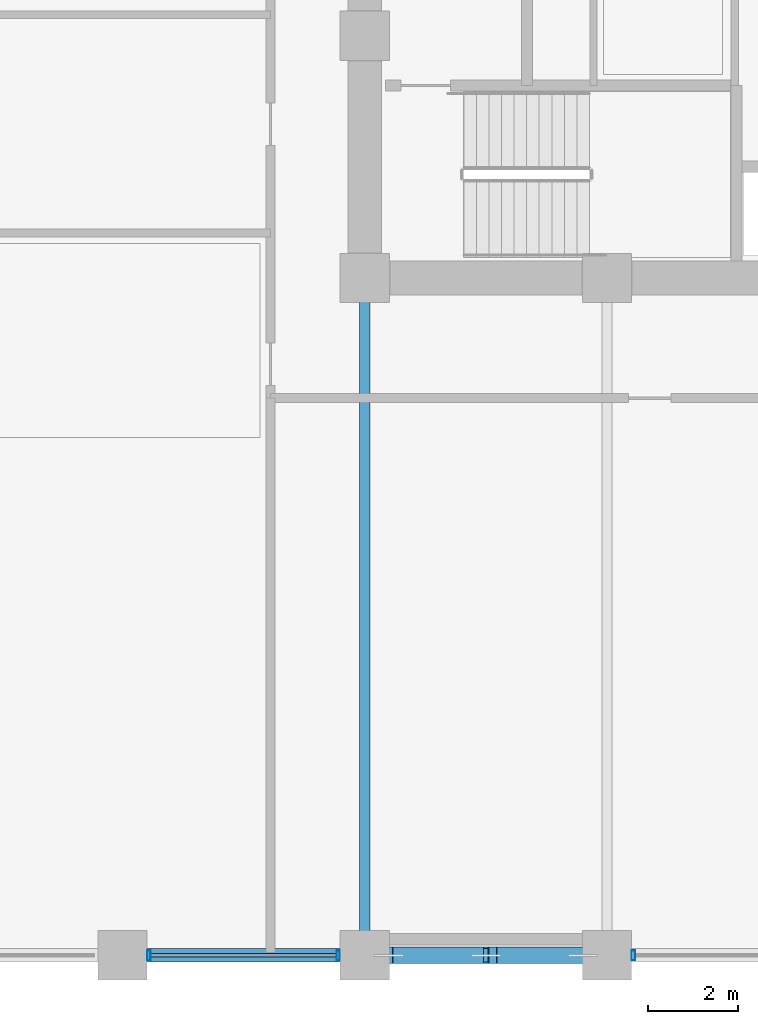
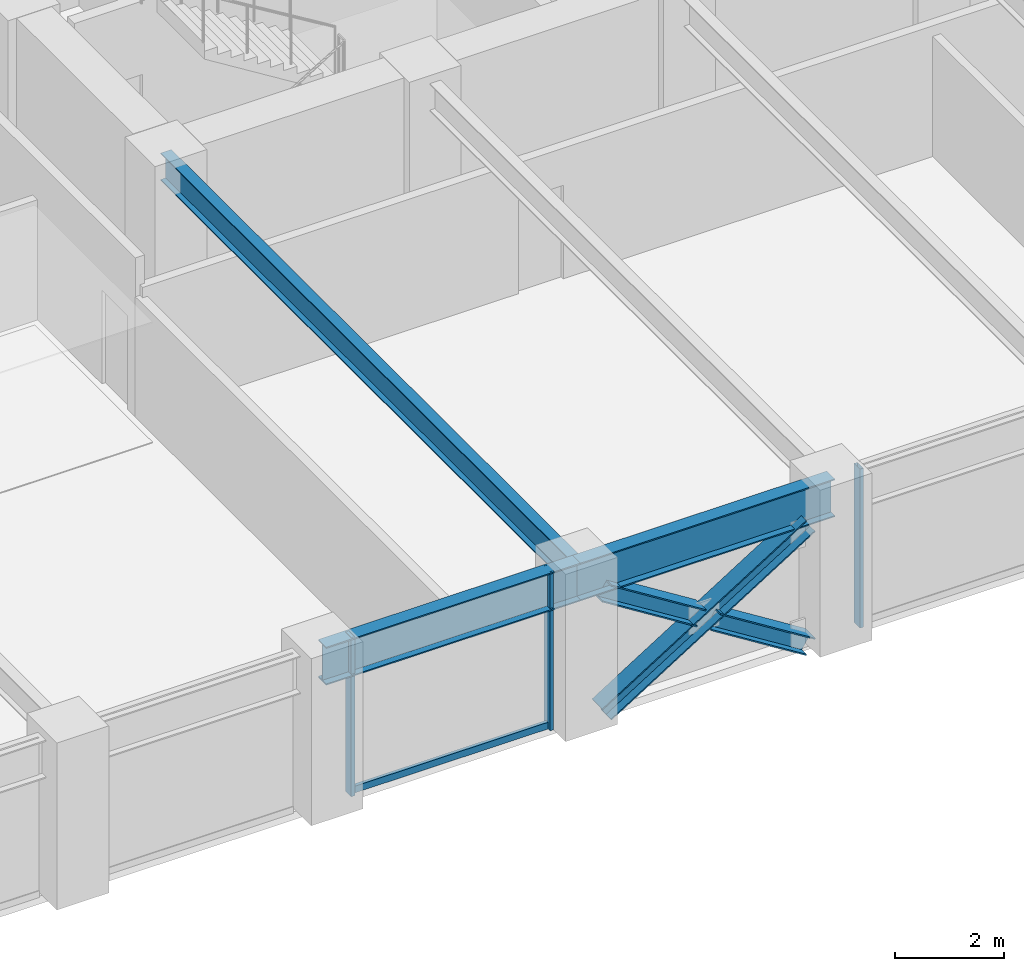
# One storey, part 4 of 24: 7 members, 3 beams, 2 elements without a shape of their own.
"""IFC4 building model written with IfcOpenShell, lengths in metres."""

from ifc_helpers import new_model, si_unit, direction, frame, origin, origin_2d, place, context, subcontext, project, spatial, hollow_rectangle, i_section, extrude, material, layer, layer_set, material_profile, profile_set, type_object, element, aggregate, save


model = new_model("IFC4")

# Units and contexts
model_context = context("Model", 3, precision=1e-05, world=origin(), true_north=direction((0.0, 1.0)))
body_context = subcontext(model_context, "Body", "Model", "MODEL_VIEW")
ifc_project = project(units=[si_unit("LENGTHUNIT", "METRE"), si_unit("AREAUNIT", "SQUARE_METRE"), si_unit("VOLUMEUNIT", "CUBIC_METRE"), si_unit("PLANEANGLEUNIT", "RADIAN"), si_unit("MASSUNIT", "GRAM", prefix="KILO")], contexts=[model_context])

# Site, building, storey
site_placement = place(None, origin())
site = spatial("IfcSite", under=ifc_project, at=site_placement, CompositionType="ELEMENT")
building_placement = place(site_placement, origin())
building = spatial("IfcBuilding", under=site, at=building_placement, Name="Surkhivell Harbour Commons", CompositionType="ELEMENT")
storey_placement = place(building_placement, frame((0.0, 0.0, 105.75)))
storey = spatial("IfcBuildingStorey", under=building, at=storey_placement, Name="L27", CompositionType="ELEMENT", Elevation=105.75)

# Beams
ifc_material_1 = material(Name="Steel S355", Category="steel")
ifc_material_profile_1 = material_profile(ifc_material_1, i_section(OverallWidth=0.22998046875, OverallDepth=0.616943359375, WebThickness=0.01318359375, FlangeThickness=0.022216796875, at=origin_2d()), Name="UB610x229x140")
ifc_profile_set_1 = profile_set([ifc_material_profile_1], Name="Steel S355")
beam_type_1 = type_object("IfcBeamType", Name="BM-GRD-610B", PredefinedType="BEAM", material=ifc_profile_set_1)
beam_1_placement = place(storey_placement, frame((-10.800048828125, -25.89990234375, 3.261474609375), z_axis=(0.0, 1.0, 0.0), x_axis=(-1.0, 0.0, 0.0)))
element("IfcBeam", 1, at=beam_1_placement, inside=storey, type_object=beam_type_1, Name="L27 Floor Girder (-10.8,-25.9)", PredefinedType="BEAM", context=body_context, shape_type="SweptSolid", body=[
    extrude(i_section(OverallWidth=0.22998046875, OverallDepth=0.616943359375, WebThickness=0.01318359375, FlangeThickness=0.022216796875, at=origin_2d()), origin(), (0.0, 0.0, 1.0), 15.099853515625),
])
ifc_material_2 = material(Name="Steel S460", Category="steel")
ifc_material_profile_2 = material_profile(ifc_material_2, i_section(OverallWidth=0.2939453125, OverallDepth=0.85107421875, WebThickness=0.01611328125, FlangeThickness=0.02685546875, at=origin_2d()), Name="UB838x292x226")
ifc_profile_set_2 = profile_set([ifc_material_profile_2], Name="Steel S460")
beam_type_2 = type_object("IfcBeamType", Name="BM-SPN-838", PredefinedType="SPANDREL", material=ifc_profile_set_2)
beam_2_placement = place(storey_placement, frame((-16.199951171875, -25.89990234375, 3.14453125), z_axis=(1.0, 0.0, 0.0), x_axis=(0.0, 1.0, 0.0)))
element("IfcBeam", 2, at=beam_2_placement, inside=storey, type_object=beam_type_2, Name="L27 Tube Spandrel (-16.2,-25.9)", PredefinedType="SPANDREL", context=body_context, shape_type="SweptSolid", body=[
    extrude(i_section(OverallWidth=0.2939453125, OverallDepth=0.85107421875, WebThickness=0.01611328125, FlangeThickness=0.02685546875, at=origin_2d()), origin(), (0.0, 0.0, 1.0), 5.39990234375),
])
beam_3_placement = place(storey_placement, frame((-10.800048828125, -25.89990234375, 3.14453125), z_axis=(1.0, 0.0, 0.0), x_axis=(0.0, 1.0, 0.0)))
element("IfcBeam", 3, at=beam_3_placement, inside=storey, type_object=beam_type_2, Name="L27 Tube Spandrel (-10.8,-25.9)", PredefinedType="SPANDREL", context=body_context, shape_type="SweptSolid", body=[
    extrude(i_section(OverallWidth=0.2939453125, OverallDepth=0.85107421875, WebThickness=0.01611328125, FlangeThickness=0.02685546875, at=origin_2d()), origin(), (0.0, 0.0, 1.0), 5.400146484375),
])

# Curtain wall, members
ifc_material_3 = material(Name="Anodised pale-metal aluminium and insulated glazing", Category="aluminium")
ifc_layer = layer(ifc_material_3, 0.205078125)
ifc_layer_set = layer_set([ifc_layer], Name="Anodised pale-metal aluminium and insulated glazing")
curtain_wall_type = type_object("IfcCurtainWallType", Name="CW-SYS-Z2", PredefinedType="NOTDEFINED", material=ifc_layer_set)
curtain_wall_1_placement = place(storey_placement, origin())
curtain_wall_1 = element("IfcCurtainWall", 4, at=curtain_wall_1_placement, inside=storey, type_object=curtain_wall_type, Name="L27 Curtain Wall CW-L27-E00S1", PredefinedType="NOTDEFINED")
ifc_material_4 = material(Name="Anodised pale-metal aluminium alloy 6063-T6", Category="aluminium")
ifc_material_profile_3 = material_profile(ifc_material_4, hollow_rectangle(XDim=0.074951171875, YDim=0.219970703125, WallThickness=0.00390625, at=origin_2d()), Name="ALU-MULL-75x220")
ifc_profile_set_3 = profile_set([ifc_material_profile_3], Name="Anodised pale-metal aluminium alloy 6063-T6")
member_type_1 = type_object("IfcMemberType", Name="CWM-220", PredefinedType="MULLION", material=ifc_profile_set_3)
member_1_placement = place(storey_placement, frame((-15.610595703125, -25.89990234375, 0.0), z_axis=(0.0, 0.0, 1.0), x_axis=(1.0, 0.0, 0.0)))
member_1 = element("IfcMember", 5, at=member_1_placement, type_object=member_type_1, Name="CW-Z2 mullion 3", PredefinedType="MULLION", context=body_context, shape_type="SweptSolid", body=[
    extrude(hollow_rectangle(XDim=0.074951171875, YDim=0.219970703125, WallThickness=0.00390625, at=origin_2d()), origin(), (0.0, 0.0, 1.0), 3.570068359375),
])
member_2_placement = place(storey_placement, frame((-11.389404296875, -25.89990234375, 0.0), z_axis=(0.0, 0.0, 1.0), x_axis=(1.0, 0.0, 0.0)))
member_2 = element("IfcMember", 6, at=member_2_placement, type_object=member_type_1, Name="CW-Z2 mullion 4", PredefinedType="MULLION", context=body_context, shape_type="SweptSolid", body=[
    extrude(hollow_rectangle(XDim=0.074951171875, YDim=0.219970703125, WallThickness=0.00390625, at=origin_2d()), origin(), (0.0, 0.0, 1.0), 3.570068359375),
])

# Curtain wall, member
curtain_wall_2_placement = place(storey_placement, origin())
curtain_wall_2 = element("IfcCurtainWall", 7, at=curtain_wall_2_placement, inside=storey, type_object=curtain_wall_type, Name="L27 Curtain Wall CW-L27-E00S2", PredefinedType="NOTDEFINED")
member_3_placement = place(storey_placement, frame((-4.810546875, -25.89990234375, 0.0), z_axis=(0.0, 0.0, 1.0), x_axis=(1.0, 0.0, 0.0)))
member_3 = element("IfcMember", 8, at=member_3_placement, type_object=member_type_1, Name="CW-Z2 mullion 1", PredefinedType="MULLION", context=body_context, shape_type="SweptSolid", body=[
    extrude(hollow_rectangle(XDim=0.074951171875, YDim=0.219970703125, WallThickness=0.00390625, at=origin_2d()), origin(), (0.0, 0.0, 1.0), 3.570068359375),
])
aggregate(curtain_wall_2, [member_3])

# Member
ifc_material_profile_4 = material_profile(ifc_material_4, hollow_rectangle(XDim=0.074951171875, YDim=0.14990234375, WallThickness=0.00341796875, at=origin_2d()), Name="ALU-TRAN-75x150")
ifc_profile_set_4 = profile_set([ifc_material_profile_4], Name="Anodised pale-metal aluminium alloy 6063-T6")
member_type_2 = type_object("IfcMemberType", Name="CWT-150", PredefinedType="USERDEFINED", material=ifc_profile_set_4)
member_4_placement = place(storey_placement, frame((-15.572998046875, -25.89990234375, 0.074951171875), z_axis=(1.0, 0.0, 0.0), x_axis=(0.0, 1.0, 0.0)))
member_4 = element("IfcMember", 9, at=member_4_placement, type_object=member_type_2, Name="CW-Z2 transom 3.1", ObjectType="TRANSOM", PredefinedType="USERDEFINED", context=body_context, shape_type="SweptSolid", body=[
    extrude(hollow_rectangle(XDim=0.074951171875, YDim=0.14990234375, WallThickness=0.00341796875, at=origin_2d()), origin(), (0.0, 0.0, 1.0), 4.14599609375),
])

aggregate(curtain_wall_1, [member_1, member_2, member_4])

# Members
ifc_material_profile_5 = material_profile(ifc_material_2, i_section(OverallWidth=0.375, OverallDepth=0.375, WebThickness=0.0166015625, FlangeThickness=0.027099609375, at=origin_2d()), Name="UC356x368x202")
ifc_profile_set_5 = profile_set([ifc_material_profile_5], Name="Steel S460")
member_type_3 = type_object("IfcMemberType", Name="MEM-BRC-UC356", PredefinedType="BRACE", material=ifc_profile_set_5)
member_5_placement = place(storey_placement, frame((-10.264892578125, -25.89990234375, 0.008056640625), z_axis=(0.847232535652, 0.0, 0.53122220448), x_axis=(0.0, 1.0, 0.0)))
element("IfcMember", 10, at=member_5_placement, inside=storey, type_object=member_type_3, Name="L27 Perimeter Mega-Brace MB- 07", PredefinedType="BRACE", context=body_context, shape_type="SweptSolid", body=[
    extrude(i_section(OverallWidth=0.375, OverallDepth=0.375, WebThickness=0.0166015625, FlangeThickness=0.027099609375, at=origin_2d()), origin(), (0.0, 0.0, 1.0), 5.110595703125),
])
member_6_placement = place(storey_placement, frame((-5.93505859375, -25.89990234375, 0.008056640625), z_axis=(-0.847206308526, 0.0, 0.53126403115), x_axis=(0.0, -1.0, 0.0)))
element("IfcMember", 11, at=member_6_placement, inside=storey, type_object=member_type_3, Name="L27 Perimeter Mega-Brace MB- 08", PredefinedType="BRACE", context=body_context, shape_type="SweptSolid", body=[
    extrude(i_section(OverallWidth=0.375, OverallDepth=0.375, WebThickness=0.0166015625, FlangeThickness=0.027099609375, at=origin_2d()), origin(), (0.0, 0.0, 1.0), 2.37548828125),
])
member_7_placement = place(storey_placement, frame((-8.25244140625, -25.89990234375, 1.461181640625), z_axis=(-0.84725256761, 0.0, 0.53119025469), x_axis=(0.0, -1.0, 0.0)))
element("IfcMember", 12, at=member_7_placement, inside=storey, type_object=member_type_3, Name="L27 Perimeter Mega-Brace MB- 09", PredefinedType="BRACE", context=body_context, shape_type="SweptSolid", body=[
    extrude(i_section(OverallWidth=0.375, OverallDepth=0.375, WebThickness=0.0166015625, FlangeThickness=0.027099609375, at=origin_2d()), origin(), (0.0, 0.0, 1.0), 2.375244140625),
])

save(model, "model.ifc")
